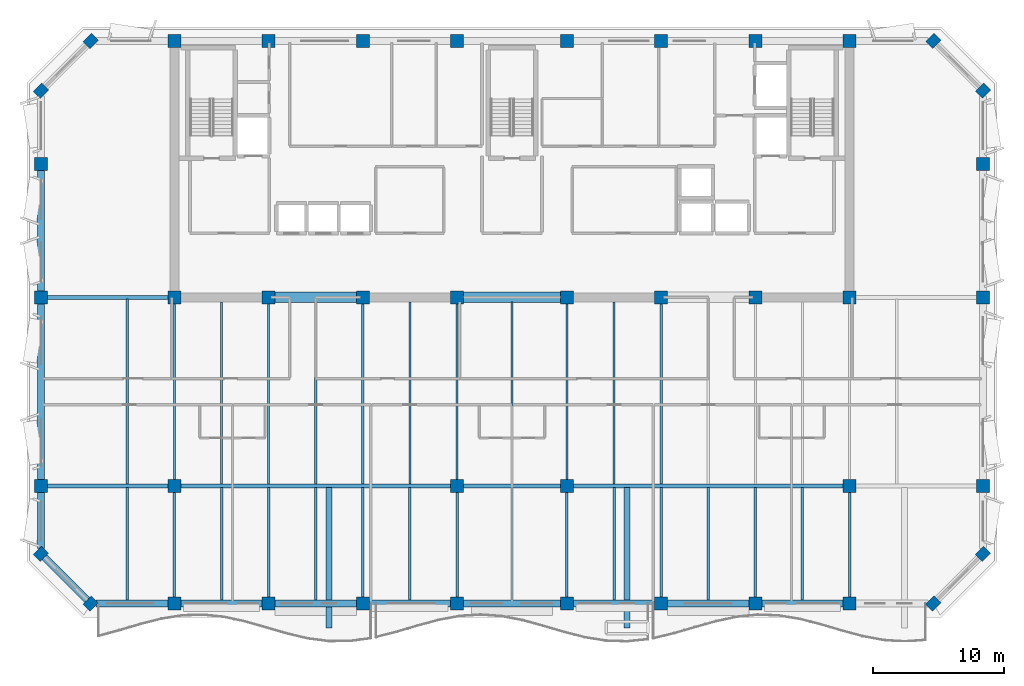
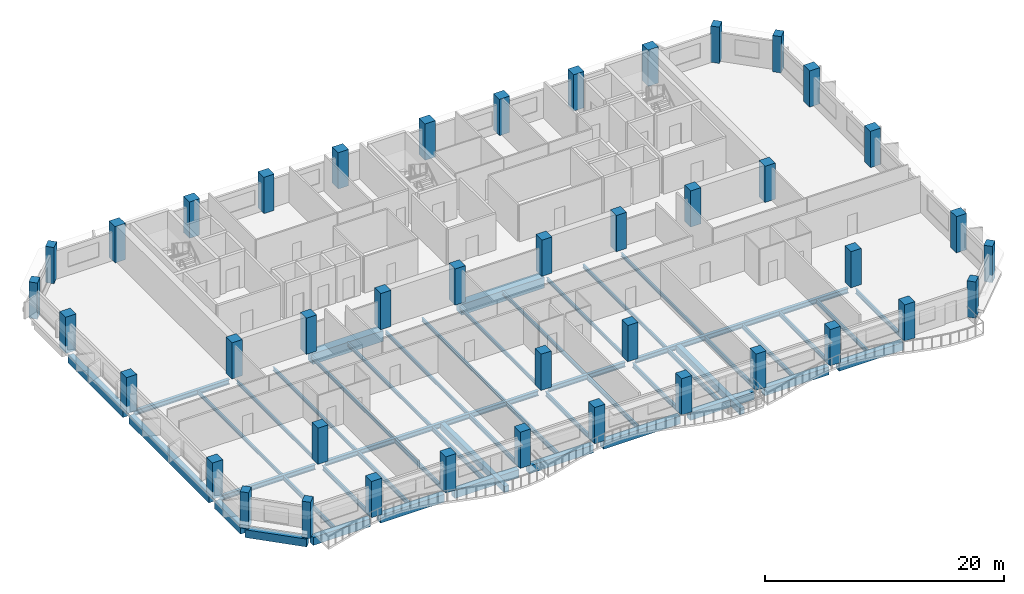
# One storey, part 1 of 10: 49 beams, 42 columns.
"""IFC4 building model written with IfcOpenShell, lengths in metres."""

from ifc_helpers import new_model, si_unit, direction, frame, origin, origin_2d, place, context, subcontext, project, spatial, rectangle, i_section, extrude, material, material_profile, profile_set, type_object, element, save


model = new_model("IFC4")

# Units and contexts
model_context = context("Model", 3, precision=1e-05, world=origin(), true_north=direction((0.0, 1.0)))
body_context = subcontext(model_context, "Body", "Model", "MODEL_VIEW")
ifc_project = project(units=[si_unit("LENGTHUNIT", "METRE"), si_unit("AREAUNIT", "SQUARE_METRE"), si_unit("VOLUMEUNIT", "CUBIC_METRE"), si_unit("PLANEANGLEUNIT", "RADIAN"), si_unit("MASSUNIT", "GRAM", prefix="KILO")], contexts=[model_context])

# Site, building, storey
site_placement = place(None, origin())
site = spatial("IfcSite", under=ifc_project, at=site_placement, CompositionType="ELEMENT")
building_placement = place(site_placement, origin())
building = spatial("IfcBuilding", under=site, at=building_placement, Name="Kaelvorn Grand Hotel", CompositionType="ELEMENT")
storey_placement = place(building_placement, frame((0.0, 0.0, 260.75)))
storey = spatial("IfcBuildingStorey", under=building, at=storey_placement, Name="L64", CompositionType="ELEMENT", Elevation=260.75)

# Columns
ifc_material_1 = material(Name="Concrete C60/75", Category="concrete")
ifc_material_profile_1 = material_profile(ifc_material_1, rectangle(XDim=0.89990234375, YDim=0.75, at=origin_2d()), Name="RC PILASTER 900x750")
ifc_profile_set_1 = profile_set([ifc_material_profile_1], Name="Concrete C60/75")
column_type_1 = type_object("IfcColumnType", Name="COL-PIL-900x750-C60", PredefinedType="PILASTER", material=ifc_profile_set_1)
for number, where, z_axis, x_axis, name in (
    (1, (9.800048828125, 6.0, 0.0), (0.0, 0.0, 1.0), (0.707106781187, 0.707106781187, 0.0), "L64 Structural Column CH-01"),
    (2, (74.199951171875, 6.0, 0.0), (0.0, 0.0, 1.0), (0.707106781187, 0.707106781187, 0.0), "L64 Structural Column CH-02"),
    (3, (78.0, 9.800048828125, 0.0), (0.0, 0.0, 1.0), (0.707106781187, 0.707106781187, 0.0), "L64 Structural Column CH-03"),
    (4, (78.0, 45.199951171875, 0.0), (0.0, 0.0, 1.0), (0.707106781187, 0.707106781187, 0.0), "L64 Structural Column CH-04"),
    (5, (74.199951171875, 49.0, 0.0), (0.0, 0.0, 1.0), (0.707106781187, 0.707106781187, 0.0), "L64 Structural Column CH-05"),
    (6, (9.800048828125, 49.0, 0.0), (0.0, 0.0, 1.0), (0.707106781187, 0.707106781187, 0.0), "L64 Structural Column CH-06"),
    (7, (6.0, 45.199951171875, 0.0), (0.0, 0.0, 1.0), (0.707106781187, 0.707106781187, 0.0), "L64 Structural Column CH-07"),
    (8, (6.0, 9.800048828125, 0.0), (0.0, 0.0, 1.0), (0.707106781187, 0.707106781187, 0.0), "L64 Structural Column CH-08"),
):
    element("IfcColumn", number, at=place(storey_placement, frame(where, z_axis=z_axis, x_axis=x_axis)), inside=storey, type_object=column_type_1, Name=name, PredefinedType="PILASTER", context=body_context, shape_type="SweptSolid", body=[
        extrude(rectangle(XDim=0.89990234375, YDim=0.75, at=origin_2d()), origin(), (0.0, 0.0, 1.0), 3.7099609375),
    ])
ifc_material_2 = material(Name="Concrete C50/60", Category="concrete")
ifc_material_profile_2 = material_profile(ifc_material_2, rectangle(XDim=1.0, YDim=1.0, at=origin_2d()), Name="RC COL 1000x1000")
ifc_profile_set_2 = profile_set([ifc_material_profile_2], Name="Concrete C50/60")
column_type_2 = type_object("IfcColumnType", Name="COL-RC-1000-C50", PredefinedType="COLUMN", material=ifc_profile_set_2)
for number, where, z_axis, x_axis, name in (
    (9, (16.199951171875, 6.0, 0.0), (0.0, 0.0, 1.0), (1.0, 0.0, 0.0), "L64 Structural Column S-01"),
    (10, (23.39990234375, 6.0, 0.0), (0.0, 0.0, 1.0), (1.0, 0.0, 0.0), "L64 Structural Column S-02"),
    (11, (30.60009765625, 6.0, 0.0), (0.0, 0.0, 1.0), (1.0, 0.0, 0.0), "L64 Structural Column S-03"),
    (12, (37.800048828125, 6.0, 0.0), (0.0, 0.0, 1.0), (1.0, 0.0, 0.0), "L64 Structural Column S-04"),
    (13, (46.199951171875, 6.0, 0.0), (0.0, 0.0, 1.0), (1.0, 0.0, 0.0), "L64 Structural Column S-05"),
    (14, (53.39990234375, 6.0, 0.0), (0.0, 0.0, 1.0), (1.0, 0.0, 0.0), "L64 Structural Column S-06"),
    (15, (60.60009765625, 6.0, 0.0), (0.0, 0.0, 1.0), (1.0, 0.0, 0.0), "L64 Structural Column S-07"),
    (16, (67.800048828125, 6.0, 0.0), (0.0, 0.0, 1.0), (1.0, 0.0, 0.0), "L64 Structural Column S-08"),
    (17, (6.0, 15.0, 0.0), (0.0, 0.0, 1.0), (1.0, 0.0, 0.0), "L64 Structural Column W-01"),
    (18, (78.0, 15.0, 0.0), (0.0, 0.0, 1.0), (1.0, 0.0, 0.0), "L64 Structural Column E-01"),
    (19, (6.0, 29.39990234375, 0.0), (0.0, 0.0, 1.0), (1.0, 0.0, 0.0), "L64 Structural Column W-02"),
    (20, (78.0, 29.39990234375, 0.0), (0.0, 0.0, 1.0), (1.0, 0.0, 0.0), "L64 Structural Column E-02"),
    (21, (6.0, 39.60009765625, 0.0), (0.0, 0.0, 1.0), (1.0, 0.0, 0.0), "L64 Structural Column W-03"),
    (22, (78.0, 39.60009765625, 0.0), (0.0, 0.0, 1.0), (1.0, 0.0, 0.0), "L64 Structural Column E-03"),
    (23, (16.199951171875, 15.0, 0.0), (0.0, 0.0, 1.0), (1.0, 0.0, 0.0), "L64 Structural Column M-01"),
    (24, (37.800048828125, 15.0, 0.0), (0.0, 0.0, 1.0), (1.0, 0.0, 0.0), "L64 Structural Column M-02"),
    (25, (46.199951171875, 15.0, 0.0), (0.0, 0.0, 1.0), (1.0, 0.0, 0.0), "L64 Structural Column M-03"),
    (26, (67.800048828125, 15.0, 0.0), (0.0, 0.0, 1.0), (1.0, 0.0, 0.0), "L64 Structural Column M-04"),
    (27, (16.199951171875, 29.39990234375, 0.0), (0.0, 0.0, 1.0), (1.0, 0.0, 0.0), "L64 Structural Column CR1-01"),
    (28, (16.199951171875, 49.0, 0.0), (0.0, 0.0, 1.0), (1.0, 0.0, 0.0), "L64 Structural Column CR2-01"),
    (29, (23.39990234375, 29.39990234375, 0.0), (0.0, 0.0, 1.0), (1.0, 0.0, 0.0), "L64 Structural Column CR1-02"),
    (30, (23.39990234375, 49.0, 0.0), (0.0, 0.0, 1.0), (1.0, 0.0, 0.0), "L64 Structural Column CR2-02"),
    (31, (30.60009765625, 29.39990234375, 0.0), (0.0, 0.0, 1.0), (1.0, 0.0, 0.0), "L64 Structural Column CR1-03"),
    (32, (30.60009765625, 49.0, 0.0), (0.0, 0.0, 1.0), (1.0, 0.0, 0.0), "L64 Structural Column CR2-03"),
    (33, (37.800048828125, 29.39990234375, 0.0), (0.0, 0.0, 1.0), (1.0, 0.0, 0.0), "L64 Structural Column CR1-04"),
    (34, (37.800048828125, 49.0, 0.0), (0.0, 0.0, 1.0), (1.0, 0.0, 0.0), "L64 Structural Column CR2-04"),
    (35, (46.199951171875, 29.39990234375, 0.0), (0.0, 0.0, 1.0), (1.0, 0.0, 0.0), "L64 Structural Column CR1-05"),
    (36, (46.199951171875, 49.0, 0.0), (0.0, 0.0, 1.0), (1.0, 0.0, 0.0), "L64 Structural Column CR2-05"),
    (37, (53.39990234375, 29.39990234375, 0.0), (0.0, 0.0, 1.0), (1.0, 0.0, 0.0), "L64 Structural Column CR1-06"),
    (38, (53.39990234375, 49.0, 0.0), (0.0, 0.0, 1.0), (1.0, 0.0, 0.0), "L64 Structural Column CR2-06"),
    (39, (60.60009765625, 29.39990234375, 0.0), (0.0, 0.0, 1.0), (1.0, 0.0, 0.0), "L64 Structural Column CR1-07"),
    (40, (60.60009765625, 49.0, 0.0), (0.0, 0.0, 1.0), (1.0, 0.0, 0.0), "L64 Structural Column CR2-07"),
    (41, (67.800048828125, 29.39990234375, 0.0), (0.0, 0.0, 1.0), (1.0, 0.0, 0.0), "L64 Structural Column CR1-08"),
    (42, (67.800048828125, 49.0, 0.0), (0.0, 0.0, 1.0), (1.0, 0.0, 0.0), "L64 Structural Column CR2-08"),
):
    element("IfcColumn", number, at=place(storey_placement, frame(where, z_axis=z_axis, x_axis=x_axis)), inside=storey, type_object=column_type_2, Name=name, PredefinedType="COLUMN", context=body_context, shape_type="SweptSolid", body=[
        extrude(rectangle(XDim=1.0, YDim=1.0, at=origin_2d()), origin(), (0.0, 0.0, 1.0), 3.7099609375),
    ])

# Beams
ifc_material_3 = material(Name="Steel S355", Category="steel")
ifc_material_profile_3 = material_profile(ifc_material_3, i_section(OverallWidth=0.300048828125, OverallDepth=0.5, WebThickness=0.014404296875, FlangeThickness=0.028076171875, FilletRadius=0.027099609375, at=origin_2d()), Name="HEB 500")
ifc_profile_set_3 = profile_set([ifc_material_profile_3], Name="Steel S355")
beam_type_1 = type_object("IfcBeamType", Name="BM-G-HEB500-S355", PredefinedType="BEAM", material=ifc_profile_set_3)
beam_1_placement = place(storey_placement, frame((6.485107421875, 15.0, -0.489990234375), z_axis=(1.0, 0.0, 0.0), x_axis=(0.0, 1.0, 0.0)))
element("IfcBeam", 43, at=beam_1_placement, inside=storey, type_object=beam_type_1, Name="L64 Primary Spine Steel Girder G-15 01", PredefinedType="BEAM", context=body_context, shape_type="SweptSolid", body=[
    extrude(i_section(OverallWidth=0.300048828125, OverallDepth=0.5, WebThickness=0.014404296875, FlangeThickness=0.028076171875, FilletRadius=0.027099609375, at=origin_2d()), origin(), (0.0, 0.0, 1.0), 9.22998046875),
])
beam_2_placement = place(storey_placement, frame((16.68505859375, 15.0, -0.489990234375), z_axis=(1.0, 0.0, 0.0), x_axis=(0.0, 1.0, 0.0)))
element("IfcBeam", 44, at=beam_2_placement, inside=storey, type_object=beam_type_1, Name="L64 Primary Spine Steel Girder G-15 02", PredefinedType="BEAM", context=body_context, shape_type="SweptSolid", body=[
    extrude(i_section(OverallWidth=0.300048828125, OverallDepth=0.5, WebThickness=0.014404296875, FlangeThickness=0.028076171875, FilletRadius=0.027099609375, at=origin_2d()), origin(), (0.0, 0.0, 1.0), 20.6298828125),
])
beam_3_placement = place(storey_placement, frame((38.284912109375, 15.0, -0.489990234375), z_axis=(1.0, 0.0, 0.0), x_axis=(0.0, 1.0, 0.0)))
element("IfcBeam", 45, at=beam_3_placement, inside=storey, type_object=beam_type_1, Name="L64 Primary Spine Steel Girder G-15 03", PredefinedType="BEAM", context=body_context, shape_type="SweptSolid", body=[
    extrude(i_section(OverallWidth=0.300048828125, OverallDepth=0.5, WebThickness=0.014404296875, FlangeThickness=0.028076171875, FilletRadius=0.027099609375, at=origin_2d()), origin(), (0.0, 0.0, 1.0), 7.43017578125),
])
beam_4_placement = place(storey_placement, frame((46.68505859375, 15.0, -0.489990234375), z_axis=(1.0, 0.0, 0.0), x_axis=(0.0, 1.0, 0.0)))
element("IfcBeam", 46, at=beam_4_placement, inside=storey, type_object=beam_type_1, Name="L64 Primary Spine Steel Girder G-15 04", PredefinedType="BEAM", context=body_context, shape_type="SweptSolid", body=[
    extrude(i_section(OverallWidth=0.300048828125, OverallDepth=0.5, WebThickness=0.014404296875, FlangeThickness=0.028076171875, FilletRadius=0.027099609375, at=origin_2d()), origin(), (0.0, 0.0, 1.0), 20.6298828125),
])
beam_5_placement = place(storey_placement, frame((6.485107421875, 29.39990234375, -0.489990234375), z_axis=(1.0, 0.0, 0.0), x_axis=(0.0, 1.0, 0.0)))
element("IfcBeam", 47, at=beam_5_placement, inside=storey, type_object=beam_type_1, Name="L64 West Core Wing Steel Girder G-29W 01", PredefinedType="BEAM", context=body_context, shape_type="SweptSolid", body=[
    extrude(i_section(OverallWidth=0.300048828125, OverallDepth=0.5, WebThickness=0.014404296875, FlangeThickness=0.028076171875, FilletRadius=0.027099609375, at=origin_2d()), origin(), (0.0, 0.0, 1.0), 9.22998046875),
])
ifc_material_profile_4 = material_profile(ifc_material_3, i_section(OverallWidth=0.169921875, OverallDepth=0.360107421875, WebThickness=0.008056640625, FlangeThickness=0.0126953125, FilletRadius=0.01806640625, at=origin_2d()), Name="IPE 360")
ifc_profile_set_4 = profile_set([ifc_material_profile_4], Name="Steel S355")
beam_type_2 = type_object("IfcBeamType", Name="BM-J-IPE360-S355", PredefinedType="JOIST", material=ifc_profile_set_4)
beam_6_placement = place(storey_placement, frame((12.60009765625, 15.135009765625, -0.419921875), z_axis=(0.0, 1.0, 0.0), x_axis=(-1.0, 0.0, 0.0)))
element("IfcBeam", 48, at=beam_6_placement, inside=storey, type_object=beam_type_2, Name="L64 Composite Floor Joist JM-04", PredefinedType="JOIST", context=body_context, shape_type="SweptSolid", body=[
    extrude(i_section(OverallWidth=0.169921875, OverallDepth=0.360107421875, WebThickness=0.008056640625, FlangeThickness=0.0126953125, FilletRadius=0.01806640625, at=origin_2d()), origin(), (0.0, 0.0, 1.0), 14.1298828125),
])
beam_7_placement = place(storey_placement, frame((16.199951171875, 15.485107421875, -0.419921875), z_axis=(0.0, 1.0, 0.0), x_axis=(-1.0, 0.0, 0.0)))
element("IfcBeam", 49, at=beam_7_placement, inside=storey, type_object=beam_type_2, Name="L64 Composite Floor Joist JM-05", PredefinedType="JOIST", context=body_context, shape_type="SweptSolid", body=[
    extrude(i_section(OverallWidth=0.169921875, OverallDepth=0.360107421875, WebThickness=0.008056640625, FlangeThickness=0.0126953125, FilletRadius=0.01806640625, at=origin_2d()), origin(), (0.0, 0.0, 1.0), 13.429931640625),
])
beam_8_placement = place(storey_placement, frame((19.800048828125, 15.135009765625, -0.419921875), z_axis=(0.0, 1.0, 0.0), x_axis=(-1.0, 0.0, 0.0)))
element("IfcBeam", 50, at=beam_8_placement, inside=storey, type_object=beam_type_2, Name="L64 Composite Floor Joist JM-06", PredefinedType="JOIST", context=body_context, shape_type="SweptSolid", body=[
    extrude(i_section(OverallWidth=0.169921875, OverallDepth=0.360107421875, WebThickness=0.008056640625, FlangeThickness=0.0126953125, FilletRadius=0.01806640625, at=origin_2d()), origin(), (0.0, 0.0, 1.0), 13.925048828125),
])
beam_9_placement = place(storey_placement, frame((23.39990234375, 15.135009765625, -0.419921875), z_axis=(0.0, 1.0, 0.0), x_axis=(-1.0, 0.0, 0.0)))
element("IfcBeam", 51, at=beam_9_placement, inside=storey, type_object=beam_type_2, Name="L64 Composite Floor Joist JM-07", PredefinedType="JOIST", context=body_context, shape_type="SweptSolid", body=[
    extrude(i_section(OverallWidth=0.169921875, OverallDepth=0.360107421875, WebThickness=0.008056640625, FlangeThickness=0.0126953125, FilletRadius=0.01806640625, at=origin_2d()), origin(), (0.0, 0.0, 1.0), 13.780029296875),
])
beam_10_placement = place(storey_placement, frame((27.0, 15.135009765625, -0.419921875), z_axis=(0.0, 1.0, 0.0), x_axis=(-1.0, 0.0, 0.0)))
element("IfcBeam", 52, at=beam_10_placement, inside=storey, type_object=beam_type_2, Name="L64 Composite Floor Joist JM-08", PredefinedType="JOIST", context=body_context, shape_type="SweptSolid", body=[
    extrude(i_section(OverallWidth=0.169921875, OverallDepth=0.360107421875, WebThickness=0.008056640625, FlangeThickness=0.0126953125, FilletRadius=0.01806640625, at=origin_2d()), origin(), (0.0, 0.0, 1.0), 13.925048828125),
])
beam_11_placement = place(storey_placement, frame((30.60009765625, 15.135009765625, -0.419921875), z_axis=(0.0, 1.0, 0.0), x_axis=(-1.0, 0.0, 0.0)))
element("IfcBeam", 53, at=beam_11_placement, inside=storey, type_object=beam_type_2, Name="L64 Composite Floor Joist JM-09", PredefinedType="JOIST", context=body_context, shape_type="SweptSolid", body=[
    extrude(i_section(OverallWidth=0.169921875, OverallDepth=0.360107421875, WebThickness=0.008056640625, FlangeThickness=0.0126953125, FilletRadius=0.01806640625, at=origin_2d()), origin(), (0.0, 0.0, 1.0), 13.780029296875),
])
beam_12_placement = place(storey_placement, frame((34.199951171875, 15.135009765625, -0.419921875), z_axis=(0.0, 1.0, 0.0), x_axis=(-1.0, 0.0, 0.0)))
element("IfcBeam", 54, at=beam_12_placement, inside=storey, type_object=beam_type_2, Name="L64 Composite Floor Joist JM-10", PredefinedType="JOIST", context=body_context, shape_type="SweptSolid", body=[
    extrude(i_section(OverallWidth=0.169921875, OverallDepth=0.360107421875, WebThickness=0.008056640625, FlangeThickness=0.0126953125, FilletRadius=0.01806640625, at=origin_2d()), origin(), (0.0, 0.0, 1.0), 13.925048828125),
])
beam_13_placement = place(storey_placement, frame((37.800048828125, 15.485107421875, -0.419921875), z_axis=(0.0, 1.0, 0.0), x_axis=(-1.0, 0.0, 0.0)))
element("IfcBeam", 55, at=beam_13_placement, inside=storey, type_object=beam_type_2, Name="L64 Composite Floor Joist JM-11", PredefinedType="JOIST", context=body_context, shape_type="SweptSolid", body=[
    extrude(i_section(OverallWidth=0.169921875, OverallDepth=0.360107421875, WebThickness=0.008056640625, FlangeThickness=0.0126953125, FilletRadius=0.01806640625, at=origin_2d()), origin(), (0.0, 0.0, 1.0), 13.429931640625),
])
beam_14_placement = place(storey_placement, frame((42.0, 15.135009765625, -0.419921875), z_axis=(0.0, 1.0, 0.0), x_axis=(-1.0, 0.0, 0.0)))
element("IfcBeam", 56, at=beam_14_placement, inside=storey, type_object=beam_type_2, Name="L64 Composite Floor Joist JM-12", PredefinedType="JOIST", context=body_context, shape_type="SweptSolid", body=[
    extrude(i_section(OverallWidth=0.169921875, OverallDepth=0.360107421875, WebThickness=0.008056640625, FlangeThickness=0.0126953125, FilletRadius=0.01806640625, at=origin_2d()), origin(), (0.0, 0.0, 1.0), 13.925048828125),
])
beam_15_placement = place(storey_placement, frame((46.199951171875, 15.485107421875, -0.419921875), z_axis=(0.0, 1.0, 0.0), x_axis=(-1.0, 0.0, 0.0)))
element("IfcBeam", 57, at=beam_15_placement, inside=storey, type_object=beam_type_2, Name="L64 Composite Floor Joist JM-13", PredefinedType="JOIST", context=body_context, shape_type="SweptSolid", body=[
    extrude(i_section(OverallWidth=0.169921875, OverallDepth=0.360107421875, WebThickness=0.008056640625, FlangeThickness=0.0126953125, FilletRadius=0.01806640625, at=origin_2d()), origin(), (0.0, 0.0, 1.0), 13.429931640625),
])
beam_16_placement = place(storey_placement, frame((49.800048828125, 15.135009765625, -0.419921875), z_axis=(0.0, 1.0, 0.0), x_axis=(-1.0, 0.0, 0.0)))
element("IfcBeam", 58, at=beam_16_placement, inside=storey, type_object=beam_type_2, Name="L64 Composite Floor Joist JM-14", PredefinedType="JOIST", context=body_context, shape_type="SweptSolid", body=[
    extrude(i_section(OverallWidth=0.169921875, OverallDepth=0.360107421875, WebThickness=0.008056640625, FlangeThickness=0.0126953125, FilletRadius=0.01806640625, at=origin_2d()), origin(), (0.0, 0.0, 1.0), 13.925048828125),
])
beam_17_placement = place(storey_placement, frame((53.39990234375, 15.135009765625, -0.419921875), z_axis=(0.0, 1.0, 0.0), x_axis=(-1.0, 0.0, 0.0)))
element("IfcBeam", 59, at=beam_17_placement, inside=storey, type_object=beam_type_2, Name="L64 Composite Floor Joist JM-15", PredefinedType="JOIST", context=body_context, shape_type="SweptSolid", body=[
    extrude(i_section(OverallWidth=0.169921875, OverallDepth=0.360107421875, WebThickness=0.008056640625, FlangeThickness=0.0126953125, FilletRadius=0.01806640625, at=origin_2d()), origin(), (0.0, 0.0, 1.0), 13.780029296875),
])
ifc_material_profile_5 = material_profile(ifc_material_3, i_section(OverallWidth=0.18994140625, OverallDepth=0.449951171875, WebThickness=0.009521484375, FlangeThickness=0.0146484375, FilletRadius=0.02099609375, at=origin_2d()), Name="IPE 450")
ifc_profile_set_5 = profile_set([ifc_material_profile_5], Name="Steel S355")
beam_type_3 = type_object("IfcBeamType", Name="BM-J-IPE450-S355", PredefinedType="JOIST", material=ifc_profile_set_5)
beam_18_placement = place(storey_placement, frame((12.60009765625, 6.260009765625, -0.465087890625), z_axis=(0.0, 1.0, 0.0), x_axis=(-1.0, 0.0, 0.0)))
element("IfcBeam", 60, at=beam_18_placement, inside=storey, type_object=beam_type_3, Name="L64 Composite Floor Joist JS-04", PredefinedType="JOIST", context=body_context, shape_type="SweptSolid", body=[
    extrude(i_section(OverallWidth=0.18994140625, OverallDepth=0.449951171875, WebThickness=0.009521484375, FlangeThickness=0.0146484375, FilletRadius=0.02099609375, at=origin_2d()), origin(), (0.0, 0.0, 1.0), 8.60498046875),
])
beam_19_placement = place(storey_placement, frame((16.199951171875, 6.485107421875, -0.465087890625), z_axis=(0.0, 1.0, 0.0), x_axis=(-1.0, 0.0, 0.0)))
element("IfcBeam", 61, at=beam_19_placement, inside=storey, type_object=beam_type_3, Name="L64 Composite Floor Joist JS-05", PredefinedType="JOIST", context=body_context, shape_type="SweptSolid", body=[
    extrude(i_section(OverallWidth=0.18994140625, OverallDepth=0.449951171875, WebThickness=0.009521484375, FlangeThickness=0.0146484375, FilletRadius=0.02099609375, at=origin_2d()), origin(), (0.0, 0.0, 1.0), 8.02978515625),
])
beam_20_placement = place(storey_placement, frame((19.800048828125, 6.260009765625, -0.465087890625), z_axis=(0.0, 1.0, 0.0), x_axis=(-1.0, 0.0, 0.0)))
element("IfcBeam", 62, at=beam_20_placement, inside=storey, type_object=beam_type_3, Name="L64 Composite Floor Joist JS-06", PredefinedType="JOIST", context=body_context, shape_type="SweptSolid", body=[
    extrude(i_section(OverallWidth=0.18994140625, OverallDepth=0.449951171875, WebThickness=0.009521484375, FlangeThickness=0.0146484375, FilletRadius=0.02099609375, at=origin_2d()), origin(), (0.0, 0.0, 1.0), 8.60498046875),
])
beam_21_placement = place(storey_placement, frame((23.39990234375, 6.485107421875, -0.465087890625), z_axis=(0.0, 1.0, 0.0), x_axis=(-1.0, 0.0, 0.0)))
element("IfcBeam", 63, at=beam_21_placement, inside=storey, type_object=beam_type_3, Name="L64 Composite Floor Joist JS-07", PredefinedType="JOIST", context=body_context, shape_type="SweptSolid", body=[
    extrude(i_section(OverallWidth=0.18994140625, OverallDepth=0.449951171875, WebThickness=0.009521484375, FlangeThickness=0.0146484375, FilletRadius=0.02099609375, at=origin_2d()), origin(), (0.0, 0.0, 1.0), 8.3798828125),
])
beam_22_placement = place(storey_placement, frame((27.0, 6.260009765625, -0.465087890625), z_axis=(0.0, 1.0, 0.0), x_axis=(-1.0, 0.0, 0.0)))
element("IfcBeam", 64, at=beam_22_placement, inside=storey, type_object=beam_type_3, Name="L64 Composite Floor Joist JS-08", PredefinedType="JOIST", context=body_context, shape_type="SweptSolid", body=[
    extrude(i_section(OverallWidth=0.18994140625, OverallDepth=0.449951171875, WebThickness=0.009521484375, FlangeThickness=0.0146484375, FilletRadius=0.02099609375, at=origin_2d()), origin(), (0.0, 0.0, 1.0), 8.60498046875),
])
beam_23_placement = place(storey_placement, frame((30.60009765625, 6.485107421875, -0.465087890625), z_axis=(0.0, 1.0, 0.0), x_axis=(-1.0, 0.0, 0.0)))
element("IfcBeam", 65, at=beam_23_placement, inside=storey, type_object=beam_type_3, Name="L64 Composite Floor Joist JS-09", PredefinedType="JOIST", context=body_context, shape_type="SweptSolid", body=[
    extrude(i_section(OverallWidth=0.18994140625, OverallDepth=0.449951171875, WebThickness=0.009521484375, FlangeThickness=0.0146484375, FilletRadius=0.02099609375, at=origin_2d()), origin(), (0.0, 0.0, 1.0), 8.3798828125),
])
beam_24_placement = place(storey_placement, frame((34.199951171875, 6.260009765625, -0.465087890625), z_axis=(0.0, 1.0, 0.0), x_axis=(-1.0, 0.0, 0.0)))
element("IfcBeam", 66, at=beam_24_placement, inside=storey, type_object=beam_type_3, Name="L64 Composite Floor Joist JS-10", PredefinedType="JOIST", context=body_context, shape_type="SweptSolid", body=[
    extrude(i_section(OverallWidth=0.18994140625, OverallDepth=0.449951171875, WebThickness=0.009521484375, FlangeThickness=0.0146484375, FilletRadius=0.02099609375, at=origin_2d()), origin(), (0.0, 0.0, 1.0), 8.60498046875),
])
beam_25_placement = place(storey_placement, frame((37.800048828125, 6.485107421875, -0.465087890625), z_axis=(0.0, 1.0, 0.0), x_axis=(-1.0, 0.0, 0.0)))
element("IfcBeam", 67, at=beam_25_placement, inside=storey, type_object=beam_type_3, Name="L64 Composite Floor Joist JS-11", PredefinedType="JOIST", context=body_context, shape_type="SweptSolid", body=[
    extrude(i_section(OverallWidth=0.18994140625, OverallDepth=0.449951171875, WebThickness=0.009521484375, FlangeThickness=0.0146484375, FilletRadius=0.02099609375, at=origin_2d()), origin(), (0.0, 0.0, 1.0), 8.02978515625),
])
beam_26_placement = place(storey_placement, frame((42.0, 6.260009765625, -0.465087890625), z_axis=(0.0, 1.0, 0.0), x_axis=(-1.0, 0.0, 0.0)))
element("IfcBeam", 68, at=beam_26_placement, inside=storey, type_object=beam_type_3, Name="L64 Composite Floor Joist JS-12", PredefinedType="JOIST", context=body_context, shape_type="SweptSolid", body=[
    extrude(i_section(OverallWidth=0.18994140625, OverallDepth=0.449951171875, WebThickness=0.009521484375, FlangeThickness=0.0146484375, FilletRadius=0.02099609375, at=origin_2d()), origin(), (0.0, 0.0, 1.0), 8.60498046875),
])
beam_27_placement = place(storey_placement, frame((46.199951171875, 6.485107421875, -0.465087890625), z_axis=(0.0, 1.0, 0.0), x_axis=(-1.0, 0.0, 0.0)))
element("IfcBeam", 69, at=beam_27_placement, inside=storey, type_object=beam_type_3, Name="L64 Composite Floor Joist JS-13", PredefinedType="JOIST", context=body_context, shape_type="SweptSolid", body=[
    extrude(i_section(OverallWidth=0.18994140625, OverallDepth=0.449951171875, WebThickness=0.009521484375, FlangeThickness=0.0146484375, FilletRadius=0.02099609375, at=origin_2d()), origin(), (0.0, 0.0, 1.0), 8.02978515625),
])
beam_28_placement = place(storey_placement, frame((49.800048828125, 6.260009765625, -0.465087890625), z_axis=(0.0, 1.0, 0.0), x_axis=(-1.0, 0.0, 0.0)))
element("IfcBeam", 70, at=beam_28_placement, inside=storey, type_object=beam_type_3, Name="L64 Composite Floor Joist JS-14", PredefinedType="JOIST", context=body_context, shape_type="SweptSolid", body=[
    extrude(i_section(OverallWidth=0.18994140625, OverallDepth=0.449951171875, WebThickness=0.009521484375, FlangeThickness=0.0146484375, FilletRadius=0.02099609375, at=origin_2d()), origin(), (0.0, 0.0, 1.0), 8.60498046875),
])
beam_29_placement = place(storey_placement, frame((53.39990234375, 6.485107421875, -0.465087890625), z_axis=(0.0, 1.0, 0.0), x_axis=(-1.0, 0.0, 0.0)))
element("IfcBeam", 71, at=beam_29_placement, inside=storey, type_object=beam_type_3, Name="L64 Composite Floor Joist JS-15", PredefinedType="JOIST", context=body_context, shape_type="SweptSolid", body=[
    extrude(i_section(OverallWidth=0.18994140625, OverallDepth=0.449951171875, WebThickness=0.009521484375, FlangeThickness=0.0146484375, FilletRadius=0.02099609375, at=origin_2d()), origin(), (0.0, 0.0, 1.0), 8.3798828125),
])
beam_30_placement = place(storey_placement, frame((57.0, 6.260009765625, -0.465087890625), z_axis=(0.0, 1.0, 0.0), x_axis=(-1.0, 0.0, 0.0)))
element("IfcBeam", 72, at=beam_30_placement, inside=storey, type_object=beam_type_3, Name="L64 Composite Floor Joist JS-16", PredefinedType="JOIST", context=body_context, shape_type="SweptSolid", body=[
    extrude(i_section(OverallWidth=0.18994140625, OverallDepth=0.449951171875, WebThickness=0.009521484375, FlangeThickness=0.0146484375, FilletRadius=0.02099609375, at=origin_2d()), origin(), (0.0, 0.0, 1.0), 8.60498046875),
])
beam_31_placement = place(storey_placement, frame((60.60009765625, 6.485107421875, -0.465087890625), z_axis=(0.0, 1.0, 0.0), x_axis=(-1.0, 0.0, 0.0)))
element("IfcBeam", 73, at=beam_31_placement, inside=storey, type_object=beam_type_3, Name="L64 Composite Floor Joist JS-17", PredefinedType="JOIST", context=body_context, shape_type="SweptSolid", body=[
    extrude(i_section(OverallWidth=0.18994140625, OverallDepth=0.449951171875, WebThickness=0.009521484375, FlangeThickness=0.0146484375, FilletRadius=0.02099609375, at=origin_2d()), origin(), (0.0, 0.0, 1.0), 8.3798828125),
])
beam_32_placement = place(storey_placement, frame((64.199951171875, 6.260009765625, -0.465087890625), z_axis=(0.0, 1.0, 0.0), x_axis=(-1.0, 0.0, 0.0)))
element("IfcBeam", 74, at=beam_32_placement, inside=storey, type_object=beam_type_3, Name="L64 Composite Floor Joist JS-18", PredefinedType="JOIST", context=body_context, shape_type="SweptSolid", body=[
    extrude(i_section(OverallWidth=0.18994140625, OverallDepth=0.449951171875, WebThickness=0.009521484375, FlangeThickness=0.0146484375, FilletRadius=0.02099609375, at=origin_2d()), origin(), (0.0, 0.0, 1.0), 8.60498046875),
])
beam_33_placement = place(storey_placement, frame((67.800048828125, 6.485107421875, -0.465087890625), z_axis=(0.0, 1.0, 0.0), x_axis=(-1.0, 0.0, 0.0)))
element("IfcBeam", 75, at=beam_33_placement, inside=storey, type_object=beam_type_3, Name="L64 Composite Floor Joist JS-19", PredefinedType="JOIST", context=body_context, shape_type="SweptSolid", body=[
    extrude(i_section(OverallWidth=0.18994140625, OverallDepth=0.449951171875, WebThickness=0.009521484375, FlangeThickness=0.0146484375, FilletRadius=0.02099609375, at=origin_2d()), origin(), (0.0, 0.0, 1.0), 8.02978515625),
])
ifc_material_profile_6 = material_profile(ifc_material_1, rectangle(XDim=0.800048828125, YDim=1.10009765625, at=origin_2d()), Name="RC LINTEL 800x1100")
ifc_profile_set_6 = profile_set([ifc_material_profile_6], Name="Concrete C60/75")
beam_type_4 = type_object("IfcBeamType", Name="BM-LIN-800x1100-C60", PredefinedType="LINTEL", material=ifc_profile_set_6)
beam_34_placement = place(storey_placement, frame((23.580078125, 29.39990234375, -0.7900390625), z_axis=(1.0, 0.0, 0.0), x_axis=(0.0, 1.0, 0.0)))
element("IfcBeam", 76, at=beam_34_placement, inside=storey, type_object=beam_type_4, Name="L64 Rear-Core Coupling Lintel Beam CB1-01", PredefinedType="LINTEL", context=body_context, shape_type="SweptSolid", body=[
    extrude(rectangle(XDim=0.800048828125, YDim=1.10009765625, at=origin_2d()), origin(), (0.0, 0.0, 1.0), 6.83984375),
])
beam_35_placement = place(storey_placement, frame((37.97998046875, 29.39990234375, -0.7900390625), z_axis=(1.0, 0.0, 0.0), x_axis=(0.0, 1.0, 0.0)))
element("IfcBeam", 77, at=beam_35_placement, inside=storey, type_object=beam_type_4, Name="L64 Rear-Core Coupling Lintel Beam CB1-02", PredefinedType="LINTEL", context=body_context, shape_type="SweptSolid", body=[
    extrude(rectangle(XDim=0.800048828125, YDim=1.10009765625, at=origin_2d()), origin(), (0.0, 0.0, 1.0), 8.0400390625),
])
ifc_material_4 = material(Name="Concrete C40/50", Category="concrete")
ifc_material_profile_7 = material_profile(ifc_material_4, rectangle(XDim=0.449951171875, YDim=0.64990234375, at=origin_2d()), Name="RC RIB 450x650")
ifc_profile_set_7 = profile_set([ifc_material_profile_7], Name="Concrete C40/50")
beam_type_5 = type_object("IfcBeamType", Name="BM-RIB-450x650-C40", PredefinedType="SPANDREL", material=ifc_profile_set_7)
for number, where, z_axis, x_axis, name in (
    (78, (28.0, 4.14990234375, -0.544921875), (0.0, 1.0, 0.0), (-1.0, 0.0, 0.0), "L64 Cantilevered Balcony Back-Span Rib RB1-1"),
    (79, (50.800048828125, 4.14990234375, -0.544921875), (0.0, 1.0, 0.0), (-1.0, 0.0, 0.0), "L64 Cantilevered Balcony Back-Span Rib RB1-2"),
):
    element("IfcBeam", number, at=place(storey_placement, frame(where, z_axis=z_axis, x_axis=x_axis)), inside=storey, type_object=beam_type_5, Name=name, PredefinedType="SPANDREL", context=body_context, shape_type="SweptSolid", body=[
        extrude(rectangle(XDim=0.449951171875, YDim=0.64990234375, at=origin_2d()), origin(), (0.0, 0.0, 1.0), 10.715087890625),
    ])
ifc_material_profile_8 = material_profile(ifc_material_2, rectangle(XDim=0.550048828125, YDim=0.800048828125, at=origin_2d()), Name="RC SPANDREL 550x800")
ifc_profile_set_8 = profile_set([ifc_material_profile_8], Name="Concrete C50/60")
beam_type_6 = type_object("IfcBeamType", Name="BM-SP-550x800-C50", PredefinedType="SPANDREL", material=ifc_profile_set_8)
beam_36_placement = place(storey_placement, frame((10.205078125, 6.0, -0.639892578125), z_axis=(1.0, 0.0, 0.0), x_axis=(0.0, 1.0, 0.0)))
element("IfcBeam", 80, at=beam_36_placement, inside=storey, type_object=beam_type_6, Name="L64 South Perimeter Spandrel 01", PredefinedType="SPANDREL", context=body_context, shape_type="SweptSolid", body=[
    extrude(rectangle(XDim=0.550048828125, YDim=0.800048828125, at=origin_2d()), origin(), (0.0, 0.0, 1.0), 5.510009765625),
])
for number, where, z_axis, x_axis, name in (
    (81, (16.68505859375, 6.0, -0.639892578125), (1.0, 0.0, 0.0), (0.0, 1.0, 0.0), "L64 South Perimeter Spandrel 02"),
    (82, (23.885009765625, 6.0, -0.639892578125), (1.0, 0.0, 0.0), (0.0, 1.0, 0.0), "L64 South Perimeter Spandrel 03"),
    (83, (31.0849609375, 6.0, -0.639892578125), (1.0, 0.0, 0.0), (0.0, 1.0, 0.0), "L64 South Perimeter Spandrel 04"),
):
    element("IfcBeam", number, at=place(storey_placement, frame(where, z_axis=z_axis, x_axis=x_axis)), inside=storey, type_object=beam_type_6, Name=name, PredefinedType="SPANDREL", context=body_context, shape_type="SweptSolid", body=[
        extrude(rectangle(XDim=0.550048828125, YDim=0.800048828125, at=origin_2d()), origin(), (0.0, 0.0, 1.0), 6.22998046875),
    ])
beam_37_placement = place(storey_placement, frame((38.284912109375, 6.0, -0.639892578125), z_axis=(1.0, 0.0, 0.0), x_axis=(0.0, 1.0, 0.0)))
element("IfcBeam", 84, at=beam_37_placement, inside=storey, type_object=beam_type_6, Name="L64 South Perimeter Spandrel 05", PredefinedType="SPANDREL", context=body_context, shape_type="SweptSolid", body=[
    extrude(rectangle(XDim=0.550048828125, YDim=0.800048828125, at=origin_2d()), origin(), (0.0, 0.0, 1.0), 7.43017578125),
])
for number, where, z_axis, x_axis, name in (
    (85, (46.68505859375, 6.0, -0.639892578125), (1.0, 0.0, 0.0), (0.0, 1.0, 0.0), "L64 South Perimeter Spandrel 06"),
    (86, (53.885009765625, 6.0, -0.639892578125), (1.0, 0.0, 0.0), (0.0, 1.0, 0.0), "L64 South Perimeter Spandrel 07"),
    (87, (61.0849609375, 6.0, -0.639892578125), (1.0, 0.0, 0.0), (0.0, 1.0, 0.0), "L64 South Perimeter Spandrel 08"),
):
    element("IfcBeam", number, at=place(storey_placement, frame(where, z_axis=z_axis, x_axis=x_axis)), inside=storey, type_object=beam_type_6, Name=name, PredefinedType="SPANDREL", context=body_context, shape_type="SweptSolid", body=[
        extrude(rectangle(XDim=0.550048828125, YDim=0.800048828125, at=origin_2d()), origin(), (0.0, 0.0, 1.0), 6.22998046875),
    ])
beam_38_placement = place(storey_placement, frame((6.0, 10.205078125, -0.639892578125), z_axis=(0.0, 1.0, 0.0), x_axis=(-1.0, 0.0, 0.0)))
element("IfcBeam", 88, at=beam_38_placement, inside=storey, type_object=beam_type_6, Name="L64 West Perimeter Spandrel 01", PredefinedType="SPANDREL", context=body_context, shape_type="SweptSolid", body=[
    extrude(rectangle(XDim=0.550048828125, YDim=0.800048828125, at=origin_2d()), origin(), (0.0, 0.0, 1.0), 4.309814453125),
])
beam_39_placement = place(storey_placement, frame((6.0, 15.485107421875, -0.639892578125), z_axis=(0.0, 1.0, 0.0), x_axis=(-1.0, 0.0, 0.0)))
element("IfcBeam", 89, at=beam_39_placement, inside=storey, type_object=beam_type_6, Name="L64 West Perimeter Spandrel 02", PredefinedType="SPANDREL", context=body_context, shape_type="SweptSolid", body=[
    extrude(rectangle(XDim=0.550048828125, YDim=0.800048828125, at=origin_2d()), origin(), (0.0, 0.0, 1.0), 13.429931640625),
])
beam_40_placement = place(storey_placement, frame((6.0, 29.885009765625, -0.639892578125), z_axis=(0.0, 1.0, 0.0), x_axis=(-1.0, 0.0, 0.0)))
element("IfcBeam", 90, at=beam_40_placement, inside=storey, type_object=beam_type_6, Name="L64 West Perimeter Spandrel 03", PredefinedType="SPANDREL", context=body_context, shape_type="SweptSolid", body=[
    extrude(rectangle(XDim=0.550048828125, YDim=0.800048828125, at=origin_2d()), origin(), (0.0, 0.0, 1.0), 9.22998046875),
])
beam_41_placement = place(storey_placement, frame((6.0, 9.800048828125, -0.639892578125), z_axis=(0.707106781187, -0.707106781187, 0.0), x_axis=(0.707106781187, 0.707106781187, 0.0)))
element("IfcBeam", 91, at=beam_41_placement, inside=storey, type_object=beam_type_6, Name="L64 Chamfer Spandrel Beam 4", PredefinedType="SPANDREL", context=body_context, shape_type="SweptSolid", body=[
    extrude(rectangle(XDim=0.550048828125, YDim=0.800048828125, at=origin_2d()), origin(), (0.0, 0.0, 1.0), 5.3740234375),
])

save(model, "model.ifc")
